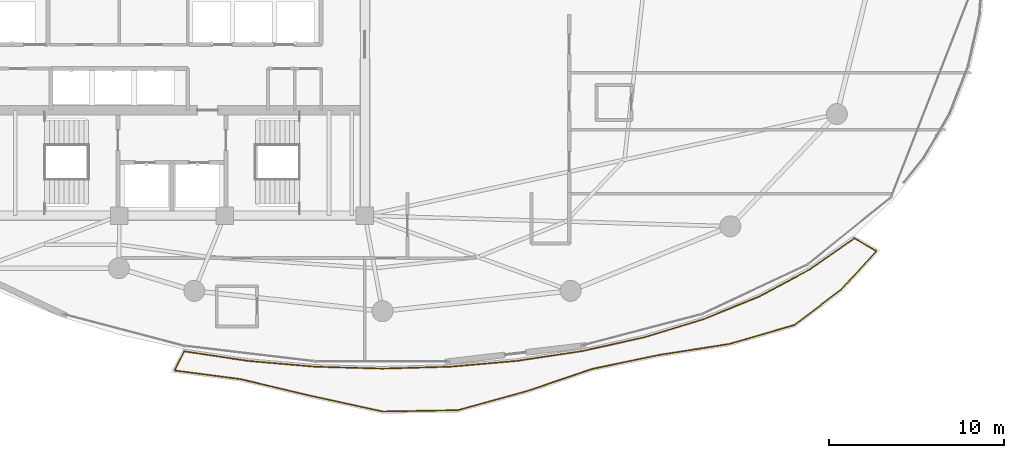
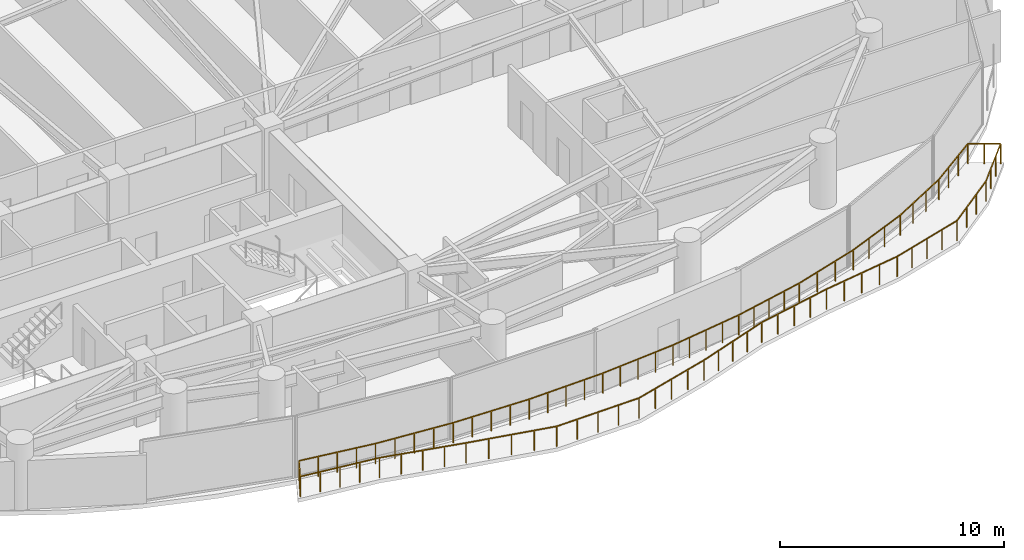
# One storey, part 32 of 34: 1 railing.
"""IFC4 building model written with IfcOpenShell, lengths in metres."""

from ifc_helpers import new_model, si_unit, direction, frame, origin, origin_2d, place, context, subcontext, project, spatial, rectangle, extrude, material, type_object, element, save


model = new_model("IFC4")

# Units and contexts
model_context = context("Model", 3, precision=1e-05, world=origin(), true_north=direction((0.0, 1.0)))
body_context = subcontext(model_context, "Body", "Model", "MODEL_VIEW")
ifc_project = project(units=[si_unit("LENGTHUNIT", "METRE"), si_unit("AREAUNIT", "SQUARE_METRE"), si_unit("VOLUMEUNIT", "CUBIC_METRE"), si_unit("PLANEANGLEUNIT", "RADIAN"), si_unit("MASSUNIT", "GRAM", prefix="KILO")], contexts=[model_context])

# Site, building, storey
site_placement = place(None, origin())
site = spatial("IfcSite", under=ifc_project, at=site_placement, CompositionType="ELEMENT")
building_placement = place(site_placement, origin())
building = spatial("IfcBuilding", under=site, at=building_placement, Name="Kazevale Care Tower and Concert Hall", CompositionType="ELEMENT")
storey_placement = place(building_placement, frame((0.0, 0.0, 160.199951171875)))
storey = spatial("IfcBuildingStorey", under=building, at=storey_placement, Name="L42", CompositionType="ELEMENT", Elevation=160.199951171875)

# Railing
ifc_material = material(Name="Anodised Bronze Aluminium and Laminated Glass", Category="aluminium")
railing_type = type_object("IfcRailingType", Name="Balcony and Terrace Balustrade 1120", PredefinedType="BALUSTRADE", material=ifc_material)
railing_placement = place(storey_placement, frame((33.702880859375, 15.861083984375, 0.0)))
element("IfcRailing", 1, at=railing_placement, inside=storey, type_object=railing_type, Name="rail:L42:balcony", PredefinedType="BALUSTRADE", context=body_context, shape_type="SweptSolid", body=[
    extrude(rectangle(XDim=0.048095703125, YDim=0.048095703125, at=origin_2d()), frame((0.0, 0.0, 1.09619140625), z_axis=(0.988898738041, -0.148591002089, 0.0), x_axis=(0.148591002089, 0.988898738041, 0.0)), (0.0, 0.0, 1.0), 3.6689453125),
    extrude(rectangle(XDim=0.048095703125, YDim=0.048095703125, at=origin_2d()), frame((3.628173828125, -0.545166015625, 1.09619140625), z_axis=(0.996251838222, -0.086500143585, 0.0), x_axis=(0.086500143585, 0.996251838222, 0.0)), (0.0, 0.0, 1.0), 3.824462890625),
    extrude(rectangle(XDim=0.048095703125, YDim=0.048095703125, at=origin_2d()), frame((7.438232421875, -0.8759765625, 1.09619140625), z_axis=(0.999593168995, -0.028521860004, 0.0), x_axis=(0.028521860004, 0.999593168995, 0.0)), (0.0, 0.0, 1.0), 3.8603515625),
    extrude(rectangle(XDim=0.048095703125, YDim=0.048095703125, at=origin_2d()), frame((11.297119140625, -0.986083984375, 1.09619140625), z_axis=(0.999593168995, 0.028521860004, 0.0), x_axis=(-0.028521860004, 0.999593168995, 0.0)), (0.0, 0.0, 1.0), 3.8603515625),
    extrude(rectangle(XDim=0.048095703125, YDim=0.048095703125, at=origin_2d()), frame((15.156005859375, -0.8759765625, 1.09619140625), z_axis=(0.996251838222, 0.086500143585, 0.0), x_axis=(-0.086500143585, 0.996251838222, 0.0)), (0.0, 0.0, 1.0), 3.824462890625),
    extrude(rectangle(XDim=0.048095703125, YDim=0.048095703125, at=origin_2d()), frame((18.966064453125, -0.545166015625, 1.09619140625), z_axis=(0.988903437953, 0.148559719995, 0.0), x_axis=(-0.148559719995, 0.988903437953, 0.0)), (0.0, 0.0, 1.0), 3.7568359375),
    extrude(rectangle(XDim=0.048095703125, YDim=0.048095703125, at=origin_2d()), frame((22.68115234375, 0.012939453125, 1.09619140625), z_axis=(0.9762591871, 0.216605631512, 0.0), x_axis=(-0.216605631512, 0.9762591871, 0.0)), (0.0, 0.0, 1.0), 3.660888671875),
    extrude(rectangle(XDim=0.048095703125, YDim=0.048095703125, at=origin_2d()), frame((26.255126953125, 0.805908203125, 1.09619140625), z_axis=(0.956153868694, 0.292864780028, 0.0), x_axis=(-0.292864780028, 0.956153868694, 0.0)), (0.0, 0.0, 1.0), 3.541259765625),
    extrude(rectangle(XDim=0.048095703125, YDim=0.048095703125, at=origin_2d()), frame((29.64111328125, 1.843017578125, 1.09619140625), z_axis=(0.925821569017, 0.377960874089, 0.0), x_axis=(-0.377960874089, 0.925821569017, 0.0)), (0.0, 0.0, 1.0), 3.409912109375),
    extrude(rectangle(XDim=0.048095703125, YDim=0.048095703125, at=origin_2d()), frame((32.798095703125, 3.1318359375, 1.09619140625), z_axis=(0.881173131857, 0.472793730598, 0.0), x_axis=(-0.472793730598, 0.881173131857, 0.0)), (0.0, 0.0, 1.0), 3.278564453125),
    extrude(rectangle(XDim=0.048095703125, YDim=0.048095703125, at=origin_2d()), frame((35.68701171875, 4.681884765625, 1.09619140625), z_axis=(0.818641866863, 0.574304356435, 0.0), x_axis=(-0.574304356435, 0.818641866863, 0.0)), (0.0, 0.0, 1.0), 3.073486328125),
    extrude(rectangle(XDim=0.048095703125, YDim=0.048095703125, at=origin_2d()), frame((38.203125, 6.447021484375, 1.09619140625), z_axis=(0.865840983683, -0.50031928903, 0.0), x_axis=(0.50031928903, 0.865840983683, 0.0)), (0.0, 0.0, 1.0), 1.46337890625),
    extrude(rectangle(XDim=0.048095703125, YDim=0.048095703125, at=origin_2d()), frame((39.47021484375, 5.71484375, 1.09619140625), z_axis=(-0.677760714556, -0.735282540119, 0.0), x_axis=(0.735282540119, -0.677760714556, 0.0)), (0.0, 0.0, 1.0), 2.988037109375),
    extrude(rectangle(XDim=0.048095703125, YDim=0.048095703125, at=origin_2d()), frame((37.445068359375, 3.517822265625, 1.09619140625), z_axis=(-0.796619479202, -0.604481104217, 0.0), x_axis=(0.604481104217, -0.796619479202, 0.0)), (0.0, 0.0, 1.0), 3.33154296875),
    extrude(rectangle(XDim=0.048095703125, YDim=0.048095703125, at=origin_2d()), frame((34.791015625, 1.50390625, 1.09619140625), z_axis=(-0.959966076175, -0.280116284057, 0.0), x_axis=(0.280116284057, -0.959966076175, 0.0)), (0.0, 0.0, 1.0), 3.869873046875),
    extrude(rectangle(XDim=0.048095703125, YDim=0.048095703125, at=origin_2d()), frame((31.076171875, 0.419921875, 1.09619140625), z_axis=(-0.988068349256, -0.154016029031, 0.0), x_axis=(0.154016029031, -0.988068349256, 0.0)), (0.0, 0.0, 1.0), 4.04541015625),
    extrude(rectangle(XDim=0.048095703125, YDim=0.048095703125, at=origin_2d()), frame((27.0791015625, -0.203125, 1.09619140625), z_axis=(-0.978876334501, -0.204453226322, 0.0), x_axis=(0.204453226322, -0.978876334501, 0.0)), (0.0, 0.0, 1.0), 3.887939453125),
    extrude(rectangle(XDim=0.048095703125, YDim=0.048095703125, at=origin_2d()), frame((23.273193359375, -0.998046875, 1.09619140625), z_axis=(-0.946815813512, -0.321776032797, 0.0), x_axis=(0.321776032797, -0.946815813512, 0.0)), (0.0, 0.0, 1.0), 3.903564453125),
    extrude(rectangle(XDim=0.048095703125, YDim=0.048095703125, at=origin_2d()), frame((19.5771484375, -2.254150390625, 1.09619140625), z_axis=(-0.96379724587, -0.266636210694, 0.0), x_axis=(0.266636210694, -0.96379724587, 0.0)), (0.0, 0.0, 1.0), 4.13671875),
    extrude(rectangle(XDim=0.048095703125, YDim=0.048095703125, at=origin_2d()), frame((15.590087890625, -3.357177734375, 1.09619140625), z_axis=(-0.999854652975, -0.017049132663, 0.0), x_axis=(0.017049132663, -0.999854652975, 0.0)), (0.0, 0.0, 1.0), 4.28173828125),
    extrude(rectangle(XDim=0.048095703125, YDim=0.048095703125, at=origin_2d()), frame((11.30908203125, -3.43017578125, 1.09619140625), z_axis=(-0.976934831163, 0.213537668014, 0.0), x_axis=(-0.213537668014, -0.976934831163, 0.0)), (0.0, 0.0, 1.0), 4.253173828125),
    extrude(rectangle(XDim=0.048095703125, YDim=0.048095703125, at=origin_2d()), frame((7.154052734375, -2.52197265625, 1.09619140625), z_axis=(-0.972925500822, 0.231118951734, 0.0), x_axis=(-0.231118951734, -0.972925500822, 0.0)), (0.0, 0.0, 1.0), 4.036376953125),
    extrude(rectangle(XDim=0.048095703125, YDim=0.048095703125, at=origin_2d()), frame((3.22705078125, -1.589111328125, 1.09619140625), z_axis=(-0.99144298825, 0.130540419221, 0.0), x_axis=(-0.130540419221, -0.99144298825, 0.0)), (0.0, 0.0, 1.0), 3.82275390625),
    extrude(rectangle(XDim=0.048095703125, YDim=0.048095703125, at=origin_2d()), frame((-0.56298828125, -1.090087890625, 1.09619140625), z_axis=(0.458876069892, 0.888500282769, 0.0), x_axis=(-0.888500282769, 0.458876069892, 0.0)), (0.0, 0.0, 1.0), 1.226806640625),
    extrude(rectangle(XDim=0.0419921875, YDim=0.0419921875, at=origin_2d()), origin(), (0.0, 0.0, 1.0), 1.072021484375),
    extrude(rectangle(XDim=0.0419921875, YDim=0.0419921875, at=origin_2d()), frame((0.906982421875, -0.13623046875, 0.0)), (0.0, 0.0, 1.0), 1.072021484375),
    extrude(rectangle(XDim=0.0419921875, YDim=0.0419921875, at=origin_2d()), frame((1.81396484375, -0.2724609375, 0.0)), (0.0, 0.0, 1.0), 1.072021484375),
    extrude(rectangle(XDim=0.0419921875, YDim=0.0419921875, at=origin_2d()), frame((2.72119140625, -0.408935546875, 0.0)), (0.0, 0.0, 1.0), 1.072021484375),
    extrude(rectangle(XDim=0.0419921875, YDim=0.0419921875, at=origin_2d()), frame((3.628173828125, -0.545166015625, 0.0)), (0.0, 0.0, 1.0), 1.072021484375),
    extrude(rectangle(XDim=0.0419921875, YDim=0.0419921875, at=origin_2d()), frame((4.58056640625, -0.6279296875, 0.0)), (0.0, 0.0, 1.0), 1.072021484375),
    extrude(rectangle(XDim=0.0419921875, YDim=0.0419921875, at=origin_2d()), frame((5.533203125, -0.71044921875, 0.0)), (0.0, 0.0, 1.0), 1.072021484375),
    extrude(rectangle(XDim=0.0419921875, YDim=0.0419921875, at=origin_2d()), frame((6.48583984375, -0.793212890625, 0.0)), (0.0, 0.0, 1.0), 1.072021484375),
    extrude(rectangle(XDim=0.0419921875, YDim=0.0419921875, at=origin_2d()), frame((7.438232421875, -0.8759765625, 0.0)), (0.0, 0.0, 1.0), 1.072021484375),
    extrude(rectangle(XDim=0.0419921875, YDim=0.0419921875, at=origin_2d()), frame((8.40283203125, -0.903564453125, 0.0)), (0.0, 0.0, 1.0), 1.072021484375),
    extrude(rectangle(XDim=0.0419921875, YDim=0.0419921875, at=origin_2d()), frame((9.36767578125, -0.93115234375, 0.0)), (0.0, 0.0, 1.0), 1.072021484375),
    extrude(rectangle(XDim=0.0419921875, YDim=0.0419921875, at=origin_2d()), frame((10.33251953125, -0.95849609375, 0.0)), (0.0, 0.0, 1.0), 1.072021484375),
    extrude(rectangle(XDim=0.0419921875, YDim=0.0419921875, at=origin_2d()), frame((11.297119140625, -0.986083984375, 0.0)), (0.0, 0.0, 1.0), 1.072021484375),
    extrude(rectangle(XDim=0.0419921875, YDim=0.0419921875, at=origin_2d()), frame((12.26171875, -0.95849609375, 0.0)), (0.0, 0.0, 1.0), 1.072021484375),
    extrude(rectangle(XDim=0.0419921875, YDim=0.0419921875, at=origin_2d()), frame((13.2265625, -0.93115234375, 0.0)), (0.0, 0.0, 1.0), 1.072021484375),
    extrude(rectangle(XDim=0.0419921875, YDim=0.0419921875, at=origin_2d()), frame((14.19140625, -0.903564453125, 0.0)), (0.0, 0.0, 1.0), 1.072021484375),
    extrude(rectangle(XDim=0.0419921875, YDim=0.0419921875, at=origin_2d()), frame((15.156005859375, -0.8759765625, 0.0)), (0.0, 0.0, 1.0), 1.072021484375),
    extrude(rectangle(XDim=0.0419921875, YDim=0.0419921875, at=origin_2d()), frame((16.1083984375, -0.793212890625, 0.0)), (0.0, 0.0, 1.0), 1.072021484375),
    extrude(rectangle(XDim=0.0419921875, YDim=0.0419921875, at=origin_2d()), frame((17.06103515625, -0.71044921875, 0.0)), (0.0, 0.0, 1.0), 1.072021484375),
    extrude(rectangle(XDim=0.0419921875, YDim=0.0419921875, at=origin_2d()), frame((18.013671875, -0.6279296875, 0.0)), (0.0, 0.0, 1.0), 1.072021484375),
    extrude(rectangle(XDim=0.0419921875, YDim=0.0419921875, at=origin_2d()), frame((18.966064453125, -0.545166015625, 0.0)), (0.0, 0.0, 1.0), 1.072021484375),
    extrude(rectangle(XDim=0.0419921875, YDim=0.0419921875, at=origin_2d()), frame((19.894775390625, -0.40576171875, 0.0)), (0.0, 0.0, 1.0), 1.072021484375),
    extrude(rectangle(XDim=0.0419921875, YDim=0.0419921875, at=origin_2d()), frame((20.82373046875, -0.26611328125, 0.0)), (0.0, 0.0, 1.0), 1.072021484375),
    extrude(rectangle(XDim=0.0419921875, YDim=0.0419921875, at=origin_2d()), frame((21.75244140625, -0.12646484375, 0.0)), (0.0, 0.0, 1.0), 1.072021484375),
    extrude(rectangle(XDim=0.0419921875, YDim=0.0419921875, at=origin_2d()), frame((22.68115234375, 0.012939453125, 0.0)), (0.0, 0.0, 1.0), 1.072021484375),
    extrude(rectangle(XDim=0.0419921875, YDim=0.0419921875, at=origin_2d()), frame((23.57470703125, 0.211181640625, 0.0)), (0.0, 0.0, 1.0), 1.072021484375),
    extrude(rectangle(XDim=0.0419921875, YDim=0.0419921875, at=origin_2d()), frame((24.46826171875, 0.409423828125, 0.0)), (0.0, 0.0, 1.0), 1.072021484375),
    extrude(rectangle(XDim=0.0419921875, YDim=0.0419921875, at=origin_2d()), frame((25.361572265625, 0.607666015625, 0.0)), (0.0, 0.0, 1.0), 1.072021484375),
    extrude(rectangle(XDim=0.0419921875, YDim=0.0419921875, at=origin_2d()), frame((26.255126953125, 0.805908203125, 0.0)), (0.0, 0.0, 1.0), 1.072021484375),
    extrude(rectangle(XDim=0.0419921875, YDim=0.0419921875, at=origin_2d()), frame((27.3837890625, 1.151611328125, 0.0)), (0.0, 0.0, 1.0), 1.072021484375),
    extrude(rectangle(XDim=0.0419921875, YDim=0.0419921875, at=origin_2d()), frame((28.512451171875, 1.497314453125, 0.0)), (0.0, 0.0, 1.0), 1.072021484375),
    extrude(rectangle(XDim=0.0419921875, YDim=0.0419921875, at=origin_2d()), frame((29.64111328125, 1.843017578125, 0.0)), (0.0, 0.0, 1.0), 1.072021484375),
    extrude(rectangle(XDim=0.0419921875, YDim=0.0419921875, at=origin_2d()), frame((30.693359375, 2.272705078125, 0.0)), (0.0, 0.0, 1.0), 1.072021484375),
    extrude(rectangle(XDim=0.0419921875, YDim=0.0419921875, at=origin_2d()), frame((31.745849609375, 2.7021484375, 0.0)), (0.0, 0.0, 1.0), 1.072021484375),
    extrude(rectangle(XDim=0.0419921875, YDim=0.0419921875, at=origin_2d()), frame((32.798095703125, 3.1318359375, 0.0)), (0.0, 0.0, 1.0), 1.072021484375),
    extrude(rectangle(XDim=0.0419921875, YDim=0.0419921875, at=origin_2d()), frame((33.760986328125, 3.6484375, 0.0)), (0.0, 0.0, 1.0), 1.072021484375),
    extrude(rectangle(XDim=0.0419921875, YDim=0.0419921875, at=origin_2d()), frame((34.72412109375, 4.165283203125, 0.0)), (0.0, 0.0, 1.0), 1.072021484375),
    extrude(rectangle(XDim=0.0419921875, YDim=0.0419921875, at=origin_2d()), frame((35.68701171875, 4.681884765625, 0.0)), (0.0, 0.0, 1.0), 1.072021484375),
    extrude(rectangle(XDim=0.0419921875, YDim=0.0419921875, at=origin_2d()), frame((36.525634765625, 5.270263671875, 0.0)), (0.0, 0.0, 1.0), 1.072021484375),
    extrude(rectangle(XDim=0.0419921875, YDim=0.0419921875, at=origin_2d()), frame((37.364501953125, 5.858642578125, 0.0)), (0.0, 0.0, 1.0), 1.072021484375),
    extrude(rectangle(XDim=0.0419921875, YDim=0.0419921875, at=origin_2d()), frame((38.203125, 6.447021484375, 0.0)), (0.0, 0.0, 1.0), 1.072021484375),
    extrude(rectangle(XDim=0.0419921875, YDim=0.0419921875, at=origin_2d()), frame((38.836669921875, 6.0810546875, 0.0)), (0.0, 0.0, 1.0), 1.072021484375),
    extrude(rectangle(XDim=0.0419921875, YDim=0.0419921875, at=origin_2d()), frame((39.47021484375, 5.71484375, 0.0)), (0.0, 0.0, 1.0), 1.072021484375),
    extrude(rectangle(XDim=0.0419921875, YDim=0.0419921875, at=origin_2d()), frame((38.795166015625, 4.982421875, 0.0)), (0.0, 0.0, 1.0), 1.072021484375),
    extrude(rectangle(XDim=0.0419921875, YDim=0.0419921875, at=origin_2d()), frame((38.1201171875, 4.250244140625, 0.0)), (0.0, 0.0, 1.0), 1.072021484375),
    extrude(rectangle(XDim=0.0419921875, YDim=0.0419921875, at=origin_2d()), frame((37.445068359375, 3.517822265625, 0.0)), (0.0, 0.0, 1.0), 1.072021484375),
    extrude(rectangle(XDim=0.0419921875, YDim=0.0419921875, at=origin_2d()), frame((36.560302734375, 2.846435546875, 0.0)), (0.0, 0.0, 1.0), 1.072021484375),
    extrude(rectangle(XDim=0.0419921875, YDim=0.0419921875, at=origin_2d()), frame((35.67578125, 2.17529296875, 0.0)), (0.0, 0.0, 1.0), 1.072021484375),
    extrude(rectangle(XDim=0.0419921875, YDim=0.0419921875, at=origin_2d()), frame((34.791015625, 1.50390625, 0.0)), (0.0, 0.0, 1.0), 1.072021484375),
    extrude(rectangle(XDim=0.0419921875, YDim=0.0419921875, at=origin_2d()), frame((33.8623046875, 1.23291015625, 0.0)), (0.0, 0.0, 1.0), 1.072021484375),
    extrude(rectangle(XDim=0.0419921875, YDim=0.0419921875, at=origin_2d()), frame((32.93359375, 0.9619140625, 0.0)), (0.0, 0.0, 1.0), 1.072021484375),
    extrude(rectangle(XDim=0.0419921875, YDim=0.0419921875, at=origin_2d()), frame((32.0048828125, 0.69091796875, 0.0)), (0.0, 0.0, 1.0), 1.072021484375),
    extrude(rectangle(XDim=0.0419921875, YDim=0.0419921875, at=origin_2d()), frame((31.076171875, 0.419921875, 0.0)), (0.0, 0.0, 1.0), 1.072021484375),
    extrude(rectangle(XDim=0.0419921875, YDim=0.0419921875, at=origin_2d()), frame((30.076904296875, 0.26416015625, 0.0)), (0.0, 0.0, 1.0), 1.072021484375),
    extrude(rectangle(XDim=0.0419921875, YDim=0.0419921875, at=origin_2d()), frame((29.07763671875, 0.1083984375, 0.0)), (0.0, 0.0, 1.0), 1.072021484375),
    extrude(rectangle(XDim=0.0419921875, YDim=0.0419921875, at=origin_2d()), frame((28.078369140625, -0.04736328125, 0.0)), (0.0, 0.0, 1.0), 1.072021484375),
    extrude(rectangle(XDim=0.0419921875, YDim=0.0419921875, at=origin_2d()), frame((27.0791015625, -0.203125, 0.0)), (0.0, 0.0, 1.0), 1.072021484375),
    extrude(rectangle(XDim=0.0419921875, YDim=0.0419921875, at=origin_2d()), frame((26.127685546875, -0.40185546875, 0.0)), (0.0, 0.0, 1.0), 1.072021484375),
    extrude(rectangle(XDim=0.0419921875, YDim=0.0419921875, at=origin_2d()), frame((25.17626953125, -0.6005859375, 0.0)), (0.0, 0.0, 1.0), 1.072021484375),
    extrude(rectangle(XDim=0.0419921875, YDim=0.0419921875, at=origin_2d()), frame((24.224609375, -0.79931640625, 0.0)), (0.0, 0.0, 1.0), 1.072021484375),
    extrude(rectangle(XDim=0.0419921875, YDim=0.0419921875, at=origin_2d()), frame((23.273193359375, -0.998046875, 0.0)), (0.0, 0.0, 1.0), 1.072021484375),
    extrude(rectangle(XDim=0.0419921875, YDim=0.0419921875, at=origin_2d()), frame((22.34912109375, -1.31201171875, 0.0)), (0.0, 0.0, 1.0), 1.072021484375),
    extrude(rectangle(XDim=0.0419921875, YDim=0.0419921875, at=origin_2d()), frame((21.42529296875, -1.6259765625, 0.0)), (0.0, 0.0, 1.0), 1.072021484375),
    extrude(rectangle(XDim=0.0419921875, YDim=0.0419921875, at=origin_2d()), frame((20.501220703125, -1.940185546875, 0.0)), (0.0, 0.0, 1.0), 1.072021484375),
    extrude(rectangle(XDim=0.0419921875, YDim=0.0419921875, at=origin_2d()), frame((19.5771484375, -2.254150390625, 0.0)), (0.0, 0.0, 1.0), 1.072021484375),
    extrude(rectangle(XDim=0.0419921875, YDim=0.0419921875, at=origin_2d()), frame((18.580322265625, -2.52978515625, 0.0)), (0.0, 0.0, 1.0), 1.072021484375),
    extrude(rectangle(XDim=0.0419921875, YDim=0.0419921875, at=origin_2d()), frame((17.58349609375, -2.8056640625, 0.0)), (0.0, 0.0, 1.0), 1.072021484375),
    extrude(rectangle(XDim=0.0419921875, YDim=0.0419921875, at=origin_2d()), frame((16.5869140625, -3.08154296875, 0.0)), (0.0, 0.0, 1.0), 1.072021484375),
    extrude(rectangle(XDim=0.0419921875, YDim=0.0419921875, at=origin_2d()), frame((15.590087890625, -3.357177734375, 0.0)), (0.0, 0.0, 1.0), 1.072021484375),
    extrude(rectangle(XDim=0.0419921875, YDim=0.0419921875, at=origin_2d()), frame((14.519775390625, -3.37548828125, 0.0)), (0.0, 0.0, 1.0), 1.072021484375),
    extrude(rectangle(XDim=0.0419921875, YDim=0.0419921875, at=origin_2d()), frame((13.44970703125, -3.3935546875, 0.0)), (0.0, 0.0, 1.0), 1.072021484375),
    extrude(rectangle(XDim=0.0419921875, YDim=0.0419921875, at=origin_2d()), frame((12.37939453125, -3.411865234375, 0.0)), (0.0, 0.0, 1.0), 1.072021484375),
    extrude(rectangle(XDim=0.0419921875, YDim=0.0419921875, at=origin_2d()), frame((11.30908203125, -3.43017578125, 0.0)), (0.0, 0.0, 1.0), 1.072021484375),
    extrude(rectangle(XDim=0.0419921875, YDim=0.0419921875, at=origin_2d()), frame((10.270263671875, -3.203125, 0.0)), (0.0, 0.0, 1.0), 1.072021484375),
    extrude(rectangle(XDim=0.0419921875, YDim=0.0419921875, at=origin_2d()), frame((9.2314453125, -2.97607421875, 0.0)), (0.0, 0.0, 1.0), 1.072021484375),
    extrude(rectangle(XDim=0.0419921875, YDim=0.0419921875, at=origin_2d()), frame((8.19287109375, -2.7490234375, 0.0)), (0.0, 0.0, 1.0), 1.072021484375),
    extrude(rectangle(XDim=0.0419921875, YDim=0.0419921875, at=origin_2d()), frame((7.154052734375, -2.52197265625, 0.0)), (0.0, 0.0, 1.0), 1.072021484375),
    extrude(rectangle(XDim=0.0419921875, YDim=0.0419921875, at=origin_2d()), frame((6.17236328125, -2.288818359375, 0.0)), (0.0, 0.0, 1.0), 1.072021484375),
    extrude(rectangle(XDim=0.0419921875, YDim=0.0419921875, at=origin_2d()), frame((5.1904296875, -2.0556640625, 0.0)), (0.0, 0.0, 1.0), 1.072021484375),
    extrude(rectangle(XDim=0.0419921875, YDim=0.0419921875, at=origin_2d()), frame((4.208740234375, -1.822265625, 0.0)), (0.0, 0.0, 1.0), 1.072021484375),
    extrude(rectangle(XDim=0.0419921875, YDim=0.0419921875, at=origin_2d()), frame((3.22705078125, -1.589111328125, 0.0)), (0.0, 0.0, 1.0), 1.072021484375),
    extrude(rectangle(XDim=0.0419921875, YDim=0.0419921875, at=origin_2d()), frame((2.279541015625, -1.46435546875, 0.0)), (0.0, 0.0, 1.0), 1.072021484375),
    extrude(rectangle(XDim=0.0419921875, YDim=0.0419921875, at=origin_2d()), frame((1.33203125, -1.339599609375, 0.0)), (0.0, 0.0, 1.0), 1.072021484375),
    extrude(rectangle(XDim=0.0419921875, YDim=0.0419921875, at=origin_2d()), frame((0.384521484375, -1.21484375, 0.0)), (0.0, 0.0, 1.0), 1.072021484375),
    extrude(rectangle(XDim=0.0419921875, YDim=0.0419921875, at=origin_2d()), frame((-0.56298828125, -1.090087890625, 0.0)), (0.0, 0.0, 1.0), 1.072021484375),
    extrude(rectangle(XDim=0.0419921875, YDim=0.0419921875, at=origin_2d()), frame((-0.281494140625, -0.544921875, 0.0)), (0.0, 0.0, 1.0), 1.072021484375),
])

save(model, "model.ifc")
